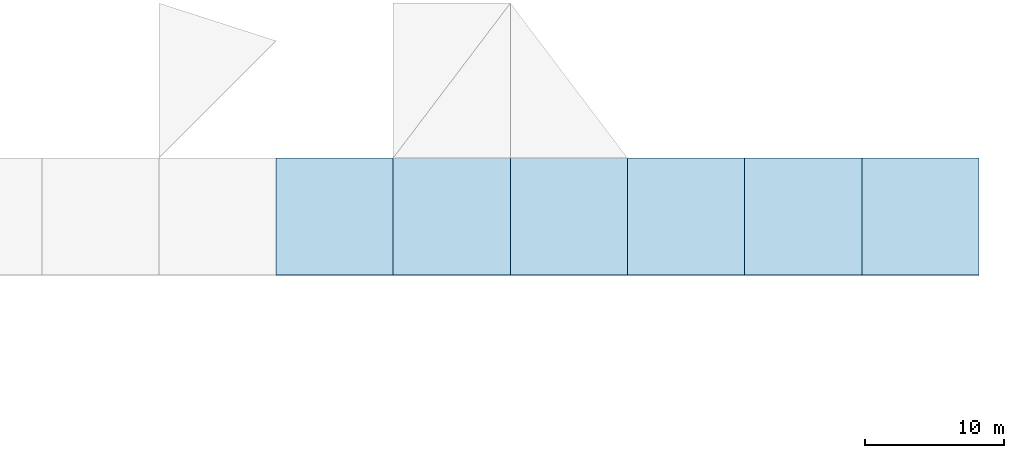
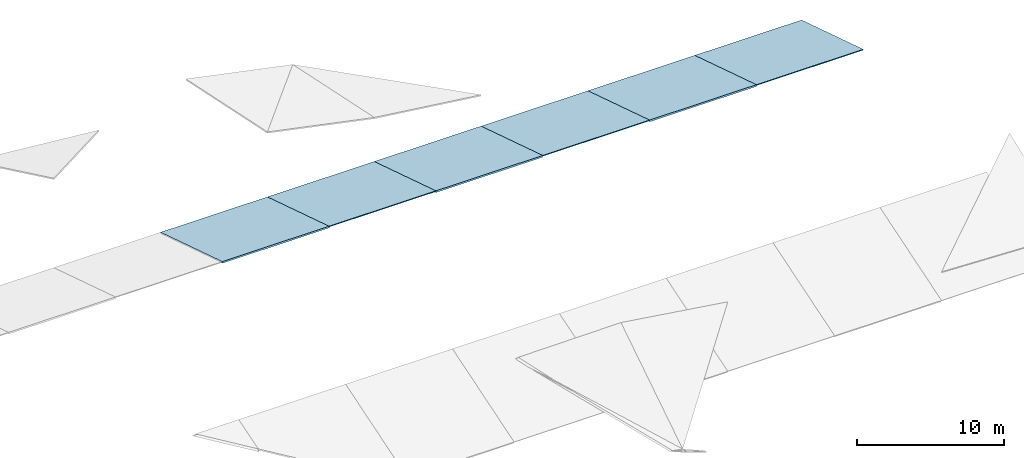
# One storey, part 4 of 37: 6 slabs.
"""IFC4 building model written with IfcOpenShell, lengths in metres."""

from ifc_helpers import new_model, si_unit, direction, frame, origin, place, context, subcontext, project, spatial, polyline, outline, extrude, material, layer, layer_set, type_object, element, save


model = new_model("IFC4")

# Units and contexts
model_context = context("Model", 3, precision=1e-05, world=origin(), true_north=direction((0.0, 1.0)))
body_context = subcontext(model_context, "Body", "Model", "MODEL_VIEW")
ifc_project = project(units=[si_unit("LENGTHUNIT", "METRE"), si_unit("AREAUNIT", "SQUARE_METRE"), si_unit("VOLUMEUNIT", "CUBIC_METRE"), si_unit("PLANEANGLEUNIT", "RADIAN"), si_unit("MASSUNIT", "GRAM", prefix="KILO")], contexts=[model_context])

# Site, building, storey
site_placement = place(None, origin())
site = spatial("IfcSite", under=ifc_project, at=site_placement, CompositionType="ELEMENT")
building_placement = place(site_placement, origin())
building = spatial("IfcBuilding", under=site, at=building_placement, Name="Rain Tree Exposition and Congress Centre", CompositionType="ELEMENT")
storey_placement = place(building_placement, frame((0.0, 0.0, 25.0)))
storey = spatial("IfcBuildingStorey", under=building, at=storey_placement, Name="ROOF VAULT LOW", CompositionType="ELEMENT", Elevation=25.0)

# Slabs
ifc_material_1 = material(Name="Insulated roof panel, S350GD+Z steel skins", Category="steel")
ifc_layer_1 = layer(ifc_material_1, 0.1201171875)
ifc_layer_set_1 = layer_set([ifc_layer_1], Name="Insulated roof panel, S350GD+Z steel skins")
slab_type_1 = type_object("IfcSlabType", Name="Vault roof panel 120", PredefinedType="ROOF", material=ifc_layer_set_1)
slab_1_placement = place(storey_placement, frame((193.199951171875, 184.800048828125, 2.551025390625), z_axis=(0.0, 0.301583581951, 0.953439742772), x_axis=(1.0, 0.0, 0.0)))
element("IfcSlab", 1, at=slab_1_placement, inside=storey, type_object=slab_type_1, Name="Vault roof panel 127", PredefinedType="ROOF", context=body_context, shape_type="SweptSolid", body=[
    extrude(outline(polyline([(0.0, 0.0), (8.400146484375, 0.0), (8.400146484375, 8.810103005906882), (0.0, 8.810103005906882), (0.0, 0.0)])), origin(), (0.0, 0.0, -1.0), 0.1201171875),
])
for number, where, z_axis, x_axis, name in (
    (2, (210.0, 184.800048828125, 2.551025390625), (0.0, 0.301583581951, 0.953439742772), (1.0, 0.0, 0.0), "Vault roof panel 129"),
    (3, (226.800048828125, 184.800048828125, 2.551025390625), (0.0, 0.301583581951, 0.953439742772), (1.0, 0.0, 0.0), "Vault roof panel 131"),
):
    element("IfcSlab", number, at=place(storey_placement, frame(where, z_axis=z_axis, x_axis=x_axis)), inside=storey, type_object=slab_type_1, Name=name, PredefinedType="ROOF", context=body_context, shape_type="SweptSolid", body=[
        extrude(outline(polyline([(0.0, 0.0), (8.39990234375, 0.0), (8.39990234375, 8.810103005906882), (0.0, 8.810103005906882), (0.0, 0.0)])), origin(), (0.0, 0.0, -1.0), 0.1201171875),
    ])
ifc_material_2 = material(Name="Safety glass in S355 steel frame, S355J2H tubes", Category="steel")
ifc_layer_2 = layer(ifc_material_2, 0.06005859375)
ifc_layer_set_2 = layer_set([ifc_layer_2], Name="Safety glass in S355 steel frame, S355J2H tubes")
slab_type_2 = type_object("IfcSlabType", Name="Vault rooflight panel 60", PredefinedType="ROOF", material=ifc_layer_set_2)
slab_2_placement = place(storey_placement, frame((201.60009765625, 184.800048828125, 2.551025390625), z_axis=(0.0, 0.301583581951, 0.953439742772), x_axis=(1.0, 0.0, 0.0)))
element("IfcSlab", 4, at=slab_2_placement, inside=storey, type_object=slab_type_2, Name="Vault rooflight panel 128", PredefinedType="ROOF", context=body_context, shape_type="SweptSolid", body=[
    extrude(outline(polyline([(0.0, 0.0), (8.39990234375, 0.0), (8.39990234375, 8.810103005906882), (0.0, 8.810103005906882), (0.0, 0.0)])), origin(), (0.0, 0.0, -1.0), 0.06005859375),
])
for number, where, z_axis, x_axis, name in (
    (5, (218.39990234375, 184.800048828125, 2.551025390625), (0.0, 0.301583581951, 0.953439742772), (1.0, 0.0, 0.0), "Vault rooflight panel 130"),
    (6, (235.199951171875, 184.800048828125, 2.551025390625), (0.0, 0.301583581951, 0.953439742772), (1.0, 0.0, 0.0), "Vault rooflight panel 132"),
):
    element("IfcSlab", number, at=place(storey_placement, frame(where, z_axis=z_axis, x_axis=x_axis)), inside=storey, type_object=slab_type_2, Name=name, PredefinedType="ROOF", context=body_context, shape_type="SweptSolid", body=[
        extrude(outline(polyline([(0.0, 0.0), (8.400146484375, 0.0), (8.400146484375, 8.810103005906882), (0.0, 8.810103005906882), (0.0, 0.0)])), origin(), (0.0, 0.0, -1.0), 0.06005859375),
    ])

save(model, "model.ifc")
